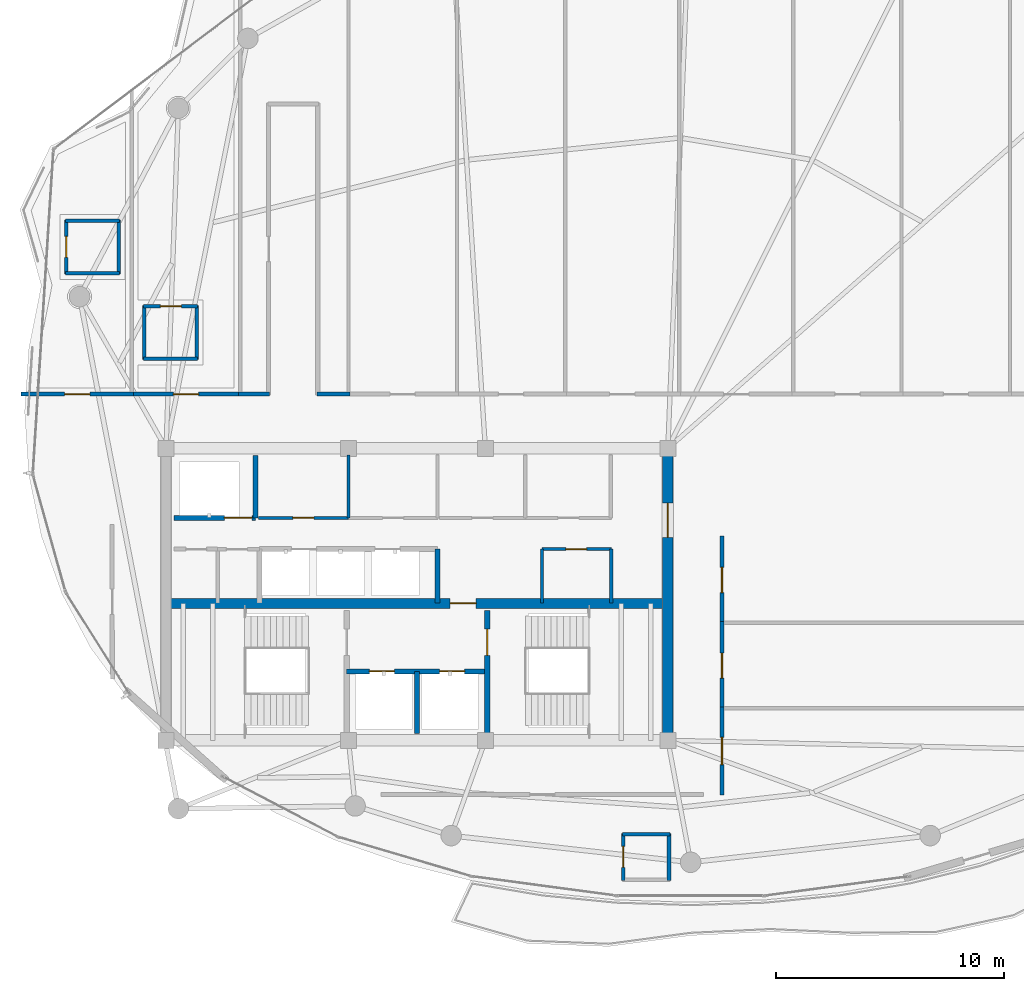
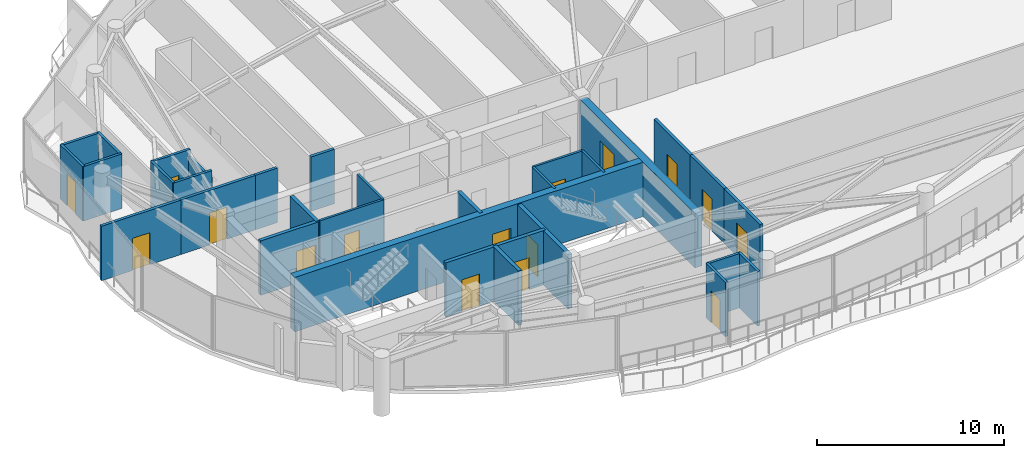
# One storey, part 24 of 29: 31 walls, 16 doors, 16 openings.
"""IFC4 building model written with IfcOpenShell, lengths in metres."""

from ifc_helpers import new_model, si_unit, direction, frame, frame_2d, origin, place, context, subcontext, project, spatial, rectangle, extrude, material, layer, layer_set, type_object, element, fill, save


model = new_model("IFC4")

# Units and contexts
model_context = context("Model", 3, precision=1e-05, world=origin(), true_north=direction((0.0, 1.0)))
body_context = subcontext(model_context, "Body", "Model", "MODEL_VIEW")
ifc_project = project(units=[si_unit("LENGTHUNIT", "METRE"), si_unit("AREAUNIT", "SQUARE_METRE"), si_unit("VOLUMEUNIT", "CUBIC_METRE"), si_unit("PLANEANGLEUNIT", "RADIAN"), si_unit("MASSUNIT", "GRAM", prefix="KILO")], contexts=[model_context])

# Site, building, storey
site_placement = place(None, origin())
site = spatial("IfcSite", under=ifc_project, at=site_placement, CompositionType="ELEMENT")
building_placement = place(site_placement, origin())
building = spatial("IfcBuilding", under=site, at=building_placement, Name="Kazevale Care Tower and Concert Hall", CompositionType="ELEMENT")
storey_placement = place(building_placement, frame((0.0, 0.0, 262.39990234375)))
storey = spatial("IfcBuildingStorey", under=building, at=storey_placement, Name="L69", CompositionType="ELEMENT", Elevation=262.39990234375)

# Wall, opening, door
ifc_material_1 = material(Name="Acoustic Gypsum on Steel Stud", Category="steel")
ifc_layer_1 = layer(ifc_material_1, 0.139892578125)
ifc_layer_set_1 = layer_set([ifc_layer_1], Name="Acoustic Gypsum on Steel Stud")
wall_type_1 = type_object("IfcWallType", Name="Acoustic Care & Suite Partition 140", PredefinedType="PARTITIONING", material=ifc_layer_set_1)
wall_1_placement = place(storey_placement, frame((26.050048828125, 33.35009765625, 0.0), z_axis=(0.0, 0.0, 1.0), x_axis=(1.0, 0.0, 0.0)))
wall_1 = element("IfcWall", 1, at=wall_1_placement, inside=storey, type_object=wall_type_1, Name="wall:L69:c_rpl1_s", PredefinedType="PARTITIONING", context=body_context, shape_type="SweptSolid", body=[
    extrude(rectangle(XDim=3.949951171875, YDim=0.139892578125, at=frame_2d((1.97509765625, 0.0))), origin(), (0.0, 0.0, 1.0), 3.56005859375),
])
opening_1_placement = place(wall_1_placement, frame((1.514892578125, 0.0, 0.0)))
opening_1 = element("IfcOpeningElement", 2, at=opening_1_placement, cuts=wall_1, Name="Opening ID-900", PredefinedType="OPENING", context=body_context, shape_type="SweptSolid", body=[
    extrude(rectangle(XDim=0.919921875, YDim=2.10009765625, at=frame_2d((0.4599609375, 1.050048828125))), frame((0.0, 0.079833984375, 0.0), z_axis=(0.0, -1.0, 0.0), x_axis=(1.0, 0.0, 0.0)), (0.0, 0.0, 1.0), 0.159912109375),
])
ifc_material_2 = material(Name="Oak Timber Fire Leaf", Category="wood")
door_type_1 = type_object("IfcDoorType", Name="Bathroom & Service Door 920x2100", OperationType="NOTDEFINED", PredefinedType="DOOR", material=ifc_material_2)
door_1_placement = place(opening_1_placement, origin())
door_1 = element("IfcDoor", 3, at=door_1_placement, inside=storey, type_object=door_type_1, Name="door:L69:d_rpl1", OperationType="SINGLE_SWING_LEFT", OverallHeight=2.10009765625, OverallWidth=0.919921875, PredefinedType="DOOR", context=body_context, shape_type="SweptSolid", body=[
    extrude(rectangle(XDim=0.919921875, YDim=2.10009765625, at=frame_2d((0.4599609375, 1.050048828125))), frame((0.0, 0.02490234375, 0.0), z_axis=(0.0, -1.0, 0.0), x_axis=(1.0, 0.0, 0.0)), (0.0, 0.0, 1.0), 0.050048828125),
])
fill(opening_1, door_1)

# Walls
wall_2_placement = place(storey_placement, frame((30.0, 33.35009765625, 0.0), z_axis=(0.0, 0.0, 1.0), x_axis=(0.0, 1.0, 0.0)))
element("IfcWall", 4, at=wall_2_placement, inside=storey, type_object=wall_type_1, Name="wall:L69:c_rpl_m", PredefinedType="PARTITIONING", context=body_context, shape_type="SweptSolid", body=[
    extrude(rectangle(XDim=2.75, YDim=0.139892578125, at=frame_2d((1.375, 0.0))), origin(), (0.0, 0.0, 1.0), 3.56005859375),
])
for number, where, z_axis, x_axis, name in (
    (5, (38.47998046875, 29.6201171875, 0.0), (0.0, 0.0, 1.0), (0.0, 1.0, 0.0), "wall:L69:kb_ew"),
    (6, (41.52001953125, 29.6201171875, 0.0), (0.0, 0.0, 1.0), (0.0, 1.0, 0.0), "wall:L69:kb_ee"),
):
    element("IfcWall", number, at=place(storey_placement, frame(where, z_axis=z_axis, x_axis=x_axis)), inside=storey, type_object=wall_type_1, Name=name, PredefinedType="PARTITIONING", context=body_context, shape_type="SweptSolid", body=[
        extrude(rectangle(XDim=2.35986328125, YDim=0.139892578125, at=frame_2d((1.179931640625, 0.0))), origin(), (0.0, 0.0, 1.0), 3.56005859375),
    ])

# Wall, opening, door
wall_3_placement = place(storey_placement, frame((38.47998046875, 31.97998046875, 0.0), z_axis=(0.0, 0.0, 1.0), x_axis=(1.0, 0.0, 0.0)))
wall_3 = element("IfcWall", 7, at=wall_3_placement, inside=storey, type_object=wall_type_1, Name="wall:L69:kb_en", PredefinedType="PARTITIONING", context=body_context, shape_type="SweptSolid", body=[
    extrude(rectangle(XDim=3.0400390625, YDim=0.139892578125, at=frame_2d((1.52001953125, 0.0))), origin(), (0.0, 0.0, 1.0), 3.56005859375),
])
opening_2_placement = place(wall_3_placement, frame((1.044921875, 0.0, 0.0)))
opening_2 = element("IfcOpeningElement", 8, at=opening_2_placement, cuts=wall_3, Name="Opening ID-900", PredefinedType="OPENING", context=body_context, shape_type="SweptSolid", body=[
    extrude(rectangle(XDim=0.919921875, YDim=2.10009765625, at=frame_2d((0.4599609375, 1.050048828125))), frame((0.0, 0.079833984375, 0.0), z_axis=(0.0, -1.0, 0.0), x_axis=(1.0, 0.0, 0.0)), (0.0, 0.0, 1.0), 0.159912109375),
])
door_2_placement = place(opening_2_placement, origin())
door_2 = element("IfcDoor", 9, at=door_2_placement, inside=storey, type_object=door_type_1, Name="door:L69:d_kbe", OperationType="SINGLE_SWING_LEFT", OverallHeight=2.10009765625, OverallWidth=0.919921875, PredefinedType="DOOR", context=body_context, shape_type="SweptSolid", body=[
    extrude(rectangle(XDim=0.919921875, YDim=2.10009765625, at=frame_2d((0.4599609375, 1.050048828125))), frame((0.0, 0.02490234375, 0.0), z_axis=(0.0, -1.0, 0.0), x_axis=(1.0, 0.0, 0.0)), (0.0, 0.0, 1.0), 0.050048828125),
])
fill(opening_2, door_2)

ifc_material_3 = material(Name="Concrete C50", Category="concrete")
ifc_layer_2 = layer(ifc_material_3, 0.449951171875)
ifc_layer_set_2 = layer_set([ifc_layer_2], Name="Concrete C50")
wall_type_2 = type_object("IfcWallType", Name="Core Shear Wall 450 C50", PredefinedType="SHEAR", material=ifc_layer_set_2)
wall_4_placement = place(storey_placement, frame((44.0, 23.824951171875, 0.0), z_axis=(0.0, 0.0, 1.0), x_axis=(0.0, 1.0, 0.0)))
wall_4 = element("IfcWall", 10, at=wall_4_placement, inside=storey, type_object=wall_type_2, Name="wall:L69:core:E", PredefinedType="SHEAR", context=body_context, shape_type="SweptSolid", body=[
    extrude(rectangle(XDim=12.35009765625, YDim=0.449951171875, at=frame_2d((6.175048828125, 0.0))), origin(), (0.0, 0.0, 1.0), 3.56005859375),
])
opening_3_placement = place(wall_4_placement, frame((8.675048828125, 0.0, 0.0)))
opening_3 = element("IfcOpeningElement", 11, at=opening_3_placement, cuts=wall_4, Name="Opening FD-60D", PredefinedType="OPENING", context=body_context, shape_type="SweptSolid", body=[
    extrude(rectangle(XDim=1.5, YDim=2.14990234375, at=frame_2d((0.75, 1.074951171875))), frame((0.0, 0.23486328125, 0.0), z_axis=(0.0, -1.0, 0.0), x_axis=(1.0, 0.0, 0.0)), (0.0, 0.0, 1.0), 0.469970703125),
])
door_type_2 = type_object("IfcDoorType", Name="Double Lobby & Auditorium Fire Door 1500x2150", OperationType="NOTDEFINED", PredefinedType="DOOR", material=ifc_material_2)
door_3_placement = place(opening_3_placement, origin())
door_3 = element("IfcDoor", 12, at=door_3_placement, inside=storey, type_object=door_type_2, Name="door:L69:core_east_out", OperationType="DOUBLE_DOOR_SINGLE_SWING", OverallHeight=2.14990234375, OverallWidth=1.5, PredefinedType="DOOR", context=body_context, shape_type="SweptSolid", body=[
    extrude(rectangle(XDim=1.5, YDim=2.14990234375, at=frame_2d((0.75, 1.074951171875))), frame((0.0, 0.02490234375, 0.0), z_axis=(0.0, -1.0, 0.0), x_axis=(1.0, 0.0, 0.0)), (0.0, 0.0, 1.0), 0.050048828125),
])
fill(opening_3, door_3)

wall_5_placement = place(storey_placement, frame((22.22509765625, 29.60009765625, 0.0), z_axis=(0.0, 0.0, 1.0), x_axis=(1.0, 0.0, 0.0)))
wall_5 = element("IfcWall", 13, at=wall_5_placement, inside=storey, type_object=wall_type_2, Name="wall:L69:core:M", PredefinedType="SHEAR", context=body_context, shape_type="SweptSolid", body=[
    extrude(rectangle(XDim=21.5498046875, YDim=0.449951171875, at=frame_2d((10.77490234375, 0.0))), origin(), (0.0, 0.0, 1.0), 3.56005859375),
])
opening_4_placement = place(wall_5_placement, frame((12.22509765625, 0.0, 0.0)))
opening_4 = element("IfcOpeningElement", 14, at=opening_4_placement, cuts=wall_5, Name="Opening FD-90", PredefinedType="OPENING", context=body_context, shape_type="SweptSolid", body=[
    extrude(rectangle(XDim=1.14990234375, YDim=2.10009765625, at=frame_2d((0.574951171875, 1.050048828125))), frame((0.0, 0.23486328125, 0.0), z_axis=(0.0, -1.0, 0.0), x_axis=(1.0, 0.0, 0.0)), (0.0, 0.0, 1.0), 0.469970703125),
])
ifc_material_4 = material(Name="Steel ASTM A572 Gr 50", Category="steel")
door_type_3 = type_object("IfcDoorType", Name="Pressurized Stair & Lobby Fire Door 1150x2100", OperationType="NOTDEFINED", PredefinedType="DOOR", material=ifc_material_4)
door_4_placement = place(opening_4_placement, origin())
door_4 = element("IfcDoor", 15, at=door_4_placement, inside=storey, type_object=door_type_3, Name="door:L69:ff_to_pax", OperationType="SINGLE_SWING_LEFT", OverallHeight=2.10009765625, OverallWidth=1.14990234375, PredefinedType="DOOR", context=body_context, shape_type="SweptSolid", body=[
    extrude(rectangle(XDim=1.14990234375, YDim=2.10009765625, at=frame_2d((0.574951171875, 1.050048828125))), frame((0.0, 0.02490234375, 0.0), z_axis=(0.0, -1.0, 0.0), x_axis=(1.0, 0.0, 0.0)), (0.0, 0.0, 1.0), 0.050048828125),
])
fill(opening_4, door_4)

# Wall, openings, doors
ifc_material_5 = material(Name="Concrete C40", Category="concrete")
ifc_layer_3 = layer(ifc_material_5, 0.219970703125)
ifc_layer_set_3 = layer_set([ifc_layer_3], Name="Concrete C40")
wall_type_3 = type_object("IfcWallType", Name="Elevator Hoistway Shaft Wall 220", PredefinedType="SOLIDWALL", material=ifc_layer_set_3)
wall_6_placement = place(storey_placement, frame((29.919921875, 26.6201171875, 0.0), z_axis=(0.0, 0.0, 1.0), x_axis=(1.0, 0.0, 0.0)))
wall_6 = element("IfcWall", 16, at=wall_6_placement, inside=storey, type_object=wall_type_3, Name="wall:L69:c_ffl_n", PredefinedType="SOLIDWALL", context=body_context, shape_type="SweptSolid", body=[
    extrude(rectangle(XDim=6.16015625, YDim=0.219970703125, at=frame_2d((3.080078125, 0.0))), origin(), (0.0, 0.0, 1.0), 3.56005859375),
])
opening_5_placement = place(wall_6_placement, frame((0.989990234375, 0.0, 0.0)))
opening_5 = element("IfcOpeningElement", 17, at=opening_5_placement, cuts=wall_6, Name="Opening LD-FF", PredefinedType="OPENING", context=body_context, shape_type="SweptSolid", body=[
    extrude(rectangle(XDim=1.10009765625, YDim=2.10009765625, at=frame_2d((0.550048828125, 1.050048828125))), frame((0.0, 0.119873046875, 0.0), z_axis=(0.0, -1.0, 0.0), x_axis=(1.0, 0.0, 0.0)), (0.0, 0.0, 1.0), 0.239990234375),
])
opening_6_placement = place(wall_6_placement, frame((4.070068359375, 0.0, 0.0)))
opening_6 = element("IfcOpeningElement", 18, at=opening_6_placement, cuts=wall_6, Name="Opening LD-FF", PredefinedType="OPENING", context=body_context, shape_type="SweptSolid", body=[
    extrude(rectangle(XDim=1.10009765625, YDim=2.10009765625, at=frame_2d((0.550048828125, 1.050048828125))), frame((0.0, 0.119873046875, 0.0), z_axis=(0.0, -1.0, 0.0), x_axis=(1.0, 0.0, 0.0)), (0.0, 0.0, 1.0), 0.239990234375),
])
ifc_material_6 = material(Name="Stainless Steel 316", Category="steel")
door_type_4 = type_object("IfcDoorType", Name="Emergency Lift Sliding Landing Door 1100x2100", OperationType="NOTDEFINED", PredefinedType="DOOR", material=ifc_material_6)
door_5_placement = place(opening_5_placement, origin())
door_5 = element("IfcDoor", 19, at=door_5_placement, inside=storey, type_object=door_type_4, Name="door:L69:ld_ffl1", OperationType="SLIDING_TO_LEFT", OverallHeight=2.10009765625, OverallWidth=1.10009765625, PredefinedType="DOOR", context=body_context, shape_type="SweptSolid", body=[
    extrude(rectangle(XDim=1.10009765625, YDim=2.10009765625, at=frame_2d((0.550048828125, 1.050048828125))), frame((0.0, 0.02490234375, 0.0), z_axis=(0.0, -1.0, 0.0), x_axis=(1.0, 0.0, 0.0)), (0.0, 0.0, 1.0), 0.050048828125),
])
fill(opening_5, door_5)
door_6_placement = place(opening_6_placement, origin())
door_6 = element("IfcDoor", 20, at=door_6_placement, inside=storey, type_object=door_type_4, Name="door:L69:ld_ffl2", OperationType="SLIDING_TO_RIGHT", OverallHeight=2.10009765625, OverallWidth=1.10009765625, PredefinedType="DOOR", context=body_context, shape_type="SweptSolid", body=[
    extrude(rectangle(XDim=1.10009765625, YDim=2.10009765625, at=frame_2d((0.550048828125, 1.050048828125))), frame((0.0, 0.02490234375, 0.0), z_axis=(0.0, -1.0, 0.0), x_axis=(1.0, 0.0, 0.0)), (0.0, 0.0, 1.0), 0.050048828125),
])
fill(opening_6, door_6)

# Walls
wall_7_placement = place(storey_placement, frame((33.0, 23.89990234375, 0.0), z_axis=(0.0, 0.0, 1.0), x_axis=(0.0, 1.0, 0.0)))
element("IfcWall", 21, at=wall_7_placement, inside=storey, type_object=wall_type_3, Name="wall:L69:c_ffl_m", PredefinedType="SOLIDWALL", context=body_context, shape_type="SweptSolid", body=[
    extrude(rectangle(XDim=2.72021484375, YDim=0.219970703125, at=frame_2d((1.360107421875, 0.0))), origin(), (0.0, 0.0, 1.0), 3.56005859375),
])
wall_8_placement = place(storey_placement, frame((25.919921875, 33.35009765625, 0.0), z_axis=(0.0, 0.0, 1.0), x_axis=(0.0, 1.0, 0.0)))
element("IfcWall", 22, at=wall_8_placement, inside=storey, type_object=wall_type_3, Name="wall:L69:c_svl_e", PredefinedType="SOLIDWALL", context=body_context, shape_type="SweptSolid", body=[
    extrude(rectangle(XDim=2.72998046875, YDim=0.219970703125, at=frame_2d((1.364990234375, 0.0))), origin(), (0.0, 0.0, 1.0), 3.56005859375),
])

# Wall, opening, door
wall_9_placement = place(storey_placement, frame((22.35009765625, 33.35009765625, 0.0), z_axis=(0.0, 0.0, 1.0), x_axis=(1.0, 0.0, 0.0)))
wall_9 = element("IfcWall", 23, at=wall_9_placement, inside=storey, type_object=wall_type_3, Name="wall:L69:c_svl_s", PredefinedType="SOLIDWALL", context=body_context, shape_type="SweptSolid", body=[
    extrude(rectangle(XDim=3.56982421875, YDim=0.219970703125, at=frame_2d((1.784912109375, 0.0))), origin(), (0.0, 0.0, 1.0), 3.56005859375),
])
opening_7_placement = place(wall_9_placement, frame((2.212890625, 0.0, 0.0)))
opening_7 = element("IfcOpeningElement", 24, at=opening_7_placement, cuts=wall_9, Name="Opening LD-SV", PredefinedType="OPENING", context=body_context, shape_type="SweptSolid", body=[
    extrude(rectangle(XDim=1.199951171875, YDim=2.10009765625, at=frame_2d((0.60009765625, 1.050048828125))), frame((0.0, 0.119873046875, 0.0), z_axis=(0.0, -1.0, 0.0), x_axis=(1.0, 0.0, 0.0)), (0.0, 0.0, 1.0), 0.239990234375),
])
door_type_5 = type_object("IfcDoorType", Name="Service Lift Sliding Landing Door 1200x2100", OperationType="NOTDEFINED", PredefinedType="DOOR", material=ifc_material_6)
door_7_placement = place(opening_7_placement, origin())
door_7 = element("IfcDoor", 25, at=door_7_placement, inside=storey, type_object=door_type_5, Name="door:L69:ld_svl1", OperationType="SLIDING_TO_LEFT", OverallHeight=2.10009765625, OverallWidth=1.199951171875, PredefinedType="DOOR", context=body_context, shape_type="SweptSolid", body=[
    extrude(rectangle(XDim=1.199951171875, YDim=2.10009765625, at=frame_2d((0.60009765625, 1.050048828125))), frame((0.0, 0.02490234375, 0.0), z_axis=(0.0, -1.0, 0.0), x_axis=(1.0, 0.0, 0.0)), (0.0, 0.0, 1.0), 0.050048828125),
])
fill(opening_7, door_7)

# Wall
wall_10_placement = place(storey_placement, frame((33.89990234375, 29.6201171875, 0.0), z_axis=(0.0, 0.0, 1.0), x_axis=(0.0, 1.0, 0.0)))
element("IfcWall", 26, at=wall_10_placement, inside=storey, type_object=wall_type_3, Name="wall:L69:c_ph_e", PredefinedType="SOLIDWALL", context=body_context, shape_type="SweptSolid", body=[
    extrude(rectangle(XDim=2.35986328125, YDim=0.219970703125, at=frame_2d((1.179931640625, 0.0))), origin(), (0.0, 0.0, 1.0), 3.56005859375),
])

# Wall, opening, door
ifc_material_7 = material(Name="Concrete C40 and Acoustic Gypsum", Category="concrete")
ifc_layer_4 = layer(ifc_material_7, 0.179931640625)
ifc_layer_set_4 = layer_set([ifc_layer_4], Name="Concrete C40 and Acoustic Gypsum")
wall_type_4 = type_object("IfcWallType", Name="Fire-Rated Corridor & Party Wall 180", PredefinedType="PARTITIONING", material=ifc_layer_set_4)
wall_11_placement = place(storey_placement, frame((15.65087890625, 38.77490234375, 0.0), z_axis=(0.0, 0.0, 1.0), x_axis=(1.0, 0.0, 0.0)))
wall_11 = element("IfcWall", 27, at=wall_11_placement, inside=storey, type_object=wall_type_4, Name="wall:L69:auto_001", PredefinedType="PARTITIONING", context=body_context, shape_type="SweptSolid", body=[
    extrude(rectangle(XDim=4.9140625, YDim=0.179931640625, at=frame_2d((2.45703125, 0.0))), origin(), (0.0, 0.0, 1.0), 3.56005859375),
])
opening_8_placement = place(wall_11_placement, frame((1.906982421875, 0.0, 0.0)))
opening_8 = element("IfcOpeningElement", 28, at=opening_8_placement, cuts=wall_11, Name="Opening ID-1100", PredefinedType="OPENING", context=body_context, shape_type="SweptSolid", body=[
    extrude(rectangle(XDim=1.10009765625, YDim=2.10009765625, at=frame_2d((0.550048828125, 1.050048828125))), frame((0.0, 0.099853515625, 0.0), z_axis=(0.0, -1.0, 0.0), x_axis=(1.0, 0.0, 0.0)), (0.0, 0.0, 1.0), 0.199951171875),
])
door_type_6 = type_object("IfcDoorType", Name="Care Bedroom Accessible Door 1100x2100", OperationType="NOTDEFINED", PredefinedType="DOOR", material=ifc_material_2)
door_8_placement = place(opening_8_placement, origin())
door_8 = element("IfcDoor", 29, at=door_8_placement, inside=storey, type_object=door_type_6, Name="door:L69:ad_001", OperationType="SINGLE_SWING_LEFT", OverallHeight=2.10009765625, OverallWidth=1.10009765625, PredefinedType="DOOR", context=body_context, shape_type="SweptSolid", body=[
    extrude(rectangle(XDim=1.10009765625, YDim=2.10009765625, at=frame_2d((0.550048828125, 1.050048828125))), frame((0.0, 0.02490234375, 0.0), z_axis=(0.0, -1.0, 0.0), x_axis=(1.0, 0.0, 0.0)), (0.0, 0.0, 1.0), 0.050048828125),
])
fill(opening_8, door_8)

wall_12_placement = place(storey_placement, frame((20.43505859375, 38.77490234375, 0.0), z_axis=(0.0, 0.0, 1.0), x_axis=(1.0, 0.0, 0.0)))
wall_12 = element("IfcWall", 30, at=wall_12_placement, inside=storey, type_object=wall_type_4, Name="wall:L69:auto_002", PredefinedType="PARTITIONING", context=body_context, shape_type="SweptSolid", body=[
    extrude(rectangle(XDim=4.8798828125, YDim=0.179931640625, at=frame_2d((2.43994140625, 0.0))), origin(), (0.0, 0.0, 1.0), 3.56005859375),
])
opening_9_placement = place(wall_12_placement, frame((1.889892578125, 0.0, 0.0)))
opening_9 = element("IfcOpeningElement", 31, at=opening_9_placement, cuts=wall_12, Name="Opening ID-1100", PredefinedType="OPENING", context=body_context, shape_type="SweptSolid", body=[
    extrude(rectangle(XDim=1.10009765625, YDim=2.10009765625, at=frame_2d((0.550048828125, 1.050048828125))), frame((0.0, 0.099853515625, 0.0), z_axis=(0.0, -1.0, 0.0), x_axis=(1.0, 0.0, 0.0)), (0.0, 0.0, 1.0), 0.199951171875),
])
door_9_placement = place(opening_9_placement, origin())
door_9 = element("IfcDoor", 32, at=door_9_placement, inside=storey, type_object=door_type_6, Name="door:L69:ad_002", OperationType="SINGLE_SWING_LEFT", OverallHeight=2.10009765625, OverallWidth=1.10009765625, PredefinedType="DOOR", context=body_context, shape_type="SweptSolid", body=[
    extrude(rectangle(XDim=1.10009765625, YDim=2.10009765625, at=frame_2d((0.550048828125, 1.050048828125))), frame((0.0, 0.02490234375, 0.0), z_axis=(0.0, -1.0, 0.0), x_axis=(1.0, 0.0, 0.0)), (0.0, 0.0, 1.0), 0.050048828125),
])
fill(opening_9, door_9)

# Walls
wall_13_placement = place(storey_placement, frame((28.6201171875, 38.77490234375, 0.0), z_axis=(0.0, 0.0, 1.0), x_axis=(1.0, 0.0, 0.0)))
element("IfcWall", 33, at=wall_13_placement, inside=storey, type_object=wall_type_4, Name="wall:L69:auto_006", PredefinedType="PARTITIONING", context=body_context, shape_type="SweptSolid", body=[
    extrude(rectangle(XDim=1.44482421875, YDim=0.179931640625, at=frame_2d((0.722412109375, 0.0))), origin(), (0.0, 0.0, 1.0), 3.56005859375),
])
wall_14_placement = place(storey_placement, frame((25.18505859375, 38.77490234375, 0.0), z_axis=(0.0, 0.0, 1.0), x_axis=(1.0, 0.0, 0.0)))
element("IfcWall", 34, at=wall_14_placement, inside=storey, type_object=wall_type_4, Name="wall:L69:auto_007", PredefinedType="PARTITIONING", context=body_context, shape_type="SweptSolid", body=[
    extrude(rectangle(XDim=1.344970703125, YDim=0.179931640625, at=frame_2d((0.67236328125, 0.0))), origin(), (0.0, 0.0, 1.0), 3.56005859375),
])

# Wall, opening, door
wall_15_placement = place(storey_placement, frame((46.375, 25.06494140625, 0.0), z_axis=(0.0, 0.0, 1.0), x_axis=(0.0, -1.0, 0.0)))
wall_15 = element("IfcWall", 35, at=wall_15_placement, inside=storey, type_object=wall_type_4, Name="wall:L69:auto_015", PredefinedType="PARTITIONING", context=body_context, shape_type="SweptSolid", body=[
    extrude(rectangle(XDim=3.869873046875, YDim=0.179931640625, at=frame_2d((1.93505859375, 0.0))), origin(), (0.0, 0.0, 1.0), 3.56005859375),
])
opening_10_placement = place(wall_15_placement, frame((1.3349609375, 0.0, 0.0)))
opening_10 = element("IfcOpeningElement", 36, at=opening_10_placement, cuts=wall_15, Name="Opening ID-1200", PredefinedType="OPENING", context=body_context, shape_type="SweptSolid", body=[
    extrude(rectangle(XDim=1.199951171875, YDim=2.14990234375, at=frame_2d((0.60009765625, 1.074951171875))), frame((0.0, 0.099853515625, 0.0), z_axis=(0.0, -1.0, 0.0), x_axis=(1.0, 0.0, 0.0)), (0.0, 0.0, 1.0), 0.199951171875),
])
door_type_7 = type_object("IfcDoorType", Name="Clinical & Therapy Door 1200x2150", OperationType="NOTDEFINED", PredefinedType="DOOR", material=ifc_material_2)
door_10_placement = place(opening_10_placement, origin())
door_10 = element("IfcDoor", 37, at=door_10_placement, inside=storey, type_object=door_type_7, Name="door:L69:ad_015", OperationType="SINGLE_SWING_LEFT", OverallHeight=2.14990234375, OverallWidth=1.199951171875, PredefinedType="DOOR", context=body_context, shape_type="SweptSolid", body=[
    extrude(rectangle(XDim=1.199951171875, YDim=2.14990234375, at=frame_2d((0.60009765625, 1.074951171875))), frame((0.0, 0.02490234375, 0.0), z_axis=(0.0, -1.0, 0.0), x_axis=(1.0, 0.0, 0.0)), (0.0, 0.0, 1.0), 0.050048828125),
])
fill(opening_10, door_10)

wall_16_placement = place(storey_placement, frame((46.375, 28.81494140625, 0.0), z_axis=(0.0, 0.0, 1.0), x_axis=(0.0, -1.0, 0.0)))
wall_16 = element("IfcWall", 38, at=wall_16_placement, inside=storey, type_object=wall_type_4, Name="wall:L69:auto_016", PredefinedType="PARTITIONING", context=body_context, shape_type="SweptSolid", body=[
    extrude(rectangle(XDim=3.8798828125, YDim=0.179931640625, at=frame_2d((1.93994140625, 0.0))), origin(), (0.0, 0.0, 1.0), 3.56005859375),
])
opening_11_placement = place(wall_16_placement, frame((1.389892578125, 0.0, 0.0)))
opening_11 = element("IfcOpeningElement", 39, at=opening_11_placement, cuts=wall_16, Name="Opening ID-1100", PredefinedType="OPENING", context=body_context, shape_type="SweptSolid", body=[
    extrude(rectangle(XDim=1.10009765625, YDim=2.10009765625, at=frame_2d((0.550048828125, 1.050048828125))), frame((0.0, 0.099853515625, 0.0), z_axis=(0.0, -1.0, 0.0), x_axis=(1.0, 0.0, 0.0)), (0.0, 0.0, 1.0), 0.199951171875),
])
door_11_placement = place(opening_11_placement, origin())
door_11 = element("IfcDoor", 40, at=door_11_placement, inside=storey, type_object=door_type_6, Name="door:L69:ad_016", OperationType="SINGLE_SWING_LEFT", OverallHeight=2.10009765625, OverallWidth=1.10009765625, PredefinedType="DOOR", context=body_context, shape_type="SweptSolid", body=[
    extrude(rectangle(XDim=1.10009765625, YDim=2.10009765625, at=frame_2d((0.550048828125, 1.050048828125))), frame((0.0, 0.02490234375, 0.0), z_axis=(0.0, -1.0, 0.0), x_axis=(1.0, 0.0, 0.0)), (0.0, 0.0, 1.0), 0.050048828125),
])
fill(opening_11, door_11)

wall_17_placement = place(storey_placement, frame((46.375, 32.56494140625, 0.0), z_axis=(0.0, 0.0, 1.0), x_axis=(0.0, -1.0, 0.0)))
wall_17 = element("IfcWall", 41, at=wall_17_placement, inside=storey, type_object=wall_type_4, Name="wall:L69:auto_017", PredefinedType="PARTITIONING", context=body_context, shape_type="SweptSolid", body=[
    extrude(rectangle(XDim=3.8798828125, YDim=0.179931640625, at=frame_2d((1.93994140625, 0.0))), origin(), (0.0, 0.0, 1.0), 3.56005859375),
])
opening_12_placement = place(wall_17_placement, frame((1.389892578125, 0.0, 0.0)))
opening_12 = element("IfcOpeningElement", 42, at=opening_12_placement, cuts=wall_17, Name="Opening ID-1100", PredefinedType="OPENING", context=body_context, shape_type="SweptSolid", body=[
    extrude(rectangle(XDim=1.10009765625, YDim=2.10009765625, at=frame_2d((0.550048828125, 1.050048828125))), frame((0.0, 0.099853515625, 0.0), z_axis=(0.0, -1.0, 0.0), x_axis=(1.0, 0.0, 0.0)), (0.0, 0.0, 1.0), 0.199951171875),
])
door_12_placement = place(opening_12_placement, origin())
door_12 = element("IfcDoor", 43, at=door_12_placement, inside=storey, type_object=door_type_6, Name="door:L69:ad_017", OperationType="SINGLE_SWING_LEFT", OverallHeight=2.10009765625, OverallWidth=1.10009765625, PredefinedType="DOOR", context=body_context, shape_type="SweptSolid", body=[
    extrude(rectangle(XDim=1.10009765625, YDim=2.10009765625, at=frame_2d((0.550048828125, 1.050048828125))), frame((0.0, 0.02490234375, 0.0), z_axis=(0.0, -1.0, 0.0), x_axis=(1.0, 0.0, 0.0)), (0.0, 0.0, 1.0), 0.050048828125),
])
fill(opening_12, door_12)

# Walls
ifc_layer_5 = layer(ifc_material_1, 0.159912109375)
ifc_layer_set_5 = layer_set([ifc_layer_5], Name="Acoustic Gypsum on Steel Stud")
wall_type_5 = type_object("IfcWallType", Name="Moisture-Resistant Bathroom Plumbing Wall 160", PredefinedType="PLUMBINGWALL", material=ifc_layer_set_5)
for number, where, z_axis, x_axis, name in (
    (44, (17.5849609375, 44.074951171875, 0.0), (0.0, 0.0, 1.0), (1.0, 0.0, 0.0), "wall:L69:nb1_ens_ws"),
    (45, (17.5849609375, 46.375, 0.0), (0.0, 0.0, 1.0), (1.0, 0.0, 0.0), "wall:L69:nb1_ens_wn"),
):
    element("IfcWall", number, at=place(storey_placement, frame(where, z_axis=z_axis, x_axis=x_axis)), inside=storey, type_object=wall_type_5, Name=name, PredefinedType="PLUMBINGWALL", context=body_context, shape_type="SweptSolid", body=[
        extrude(rectangle(XDim=2.380126953125, YDim=0.159912109375, at=frame_2d((1.18994140625, 0.0))), origin(), (0.0, 0.0, 1.0), 3.56005859375),
    ])

# Wall, opening, door
wall_18_placement = place(storey_placement, frame((17.625, 44.034912109375, 0.0), z_axis=(0.0, 0.0, 1.0), x_axis=(0.0, 1.0, 0.0)))
wall_18 = element("IfcWall", 46, at=wall_18_placement, inside=storey, type_object=wall_type_5, Name="wall:L69:nb1_ens_ww", PredefinedType="PLUMBINGWALL", context=body_context, shape_type="SweptSolid", body=[
    extrude(rectangle(XDim=2.380126953125, YDim=0.159912109375, at=frame_2d((1.18994140625, 0.0))), origin(), (0.0, 0.0, 1.0), 3.56005859375),
])
opening_13_placement = place(wall_18_placement, frame((0.739990234375, 0.0, 0.0)))
opening_13 = element("IfcOpeningElement", 47, at=opening_13_placement, cuts=wall_18, Name="Opening ID-900", PredefinedType="OPENING", context=body_context, shape_type="SweptSolid", body=[
    extrude(rectangle(XDim=0.919921875, YDim=2.10009765625, at=frame_2d((0.4599609375, 1.050048828125))), frame((0.0, 0.08984375, 0.0), z_axis=(0.0, -1.0, 0.0), x_axis=(1.0, 0.0, 0.0)), (0.0, 0.0, 1.0), 0.179931640625),
])
door_13_placement = place(opening_13_placement, origin())
door_13 = element("IfcDoor", 48, at=door_13_placement, inside=storey, type_object=door_type_1, Name="door:L69:nb1_ens_d", OperationType="SINGLE_SWING_RIGHT", OverallHeight=2.10009765625, OverallWidth=0.919921875, PredefinedType="DOOR", context=body_context, shape_type="SweptSolid", body=[
    extrude(rectangle(XDim=0.919921875, YDim=2.10009765625, at=frame_2d((0.4599609375, 1.050048828125))), frame((0.0, 0.02490234375, 0.0), z_axis=(0.0, -1.0, 0.0), x_axis=(1.0, 0.0, 0.0)), (0.0, 0.0, 1.0), 0.050048828125),
])
fill(opening_13, door_13)

# Walls
wall_19_placement = place(storey_placement, frame((19.925048828125, 44.034912109375, 0.0), z_axis=(0.0, 0.0, 1.0), x_axis=(0.0, 1.0, 0.0)))
element("IfcWall", 49, at=wall_19_placement, inside=storey, type_object=wall_type_5, Name="wall:L69:nb1_ens_we", PredefinedType="PLUMBINGWALL", context=body_context, shape_type="SweptSolid", body=[
    extrude(rectangle(XDim=2.380126953125, YDim=0.159912109375, at=frame_2d((1.18994140625, 0.0))), origin(), (0.0, 0.0, 1.0), 3.56005859375),
])
wall_20_placement = place(storey_placement, frame((21.010009765625, 40.324951171875, 0.0), z_axis=(0.0, 0.0, 1.0), x_axis=(1.0, 0.0, 0.0)))
element("IfcWall", 50, at=wall_20_placement, inside=storey, type_object=wall_type_5, Name="wall:L69:nb2a_ens_ws", PredefinedType="PLUMBINGWALL", context=body_context, shape_type="SweptSolid", body=[
    extrude(rectangle(XDim=2.3798828125, YDim=0.159912109375, at=frame_2d((1.18994140625, 0.0))), origin(), (0.0, 0.0, 1.0), 3.56005859375),
])

# Wall, opening, door
wall_21_placement = place(storey_placement, frame((21.010009765625, 42.625, 0.0), z_axis=(0.0, 0.0, 1.0), x_axis=(1.0, 0.0, 0.0)))
wall_21 = element("IfcWall", 51, at=wall_21_placement, inside=storey, type_object=wall_type_5, Name="wall:L69:nb2a_ens_wn", PredefinedType="PLUMBINGWALL", context=body_context, shape_type="SweptSolid", body=[
    extrude(rectangle(XDim=2.3798828125, YDim=0.159912109375, at=frame_2d((1.18994140625, 0.0))), origin(), (0.0, 0.0, 1.0), 3.56005859375),
])
opening_14_placement = place(wall_21_placement, frame((0.739990234375, 0.0, 0.0)))
opening_14 = element("IfcOpeningElement", 52, at=opening_14_placement, cuts=wall_21, Name="Opening ID-900", PredefinedType="OPENING", context=body_context, shape_type="SweptSolid", body=[
    extrude(rectangle(XDim=0.919921875, YDim=2.10009765625, at=frame_2d((0.4599609375, 1.050048828125))), frame((0.0, 0.08984375, 0.0), z_axis=(0.0, -1.0, 0.0), x_axis=(1.0, 0.0, 0.0)), (0.0, 0.0, 1.0), 0.179931640625),
])
door_14_placement = place(opening_14_placement, origin())
door_14 = element("IfcDoor", 53, at=door_14_placement, inside=storey, type_object=door_type_1, Name="door:L69:nb2a_ens_d", OperationType="SINGLE_SWING_LEFT", OverallHeight=2.10009765625, OverallWidth=0.919921875, PredefinedType="DOOR", context=body_context, shape_type="SweptSolid", body=[
    extrude(rectangle(XDim=0.919921875, YDim=2.10009765625, at=frame_2d((0.4599609375, 1.050048828125))), frame((0.0, 0.02490234375, 0.0), z_axis=(0.0, -1.0, 0.0), x_axis=(1.0, 0.0, 0.0)), (0.0, 0.0, 1.0), 0.050048828125),
])
fill(opening_14, door_14)

# Walls
wall_22_placement = place(storey_placement, frame((21.050048828125, 40.284912109375, 0.0), z_axis=(0.0, 0.0, 1.0), x_axis=(0.0, 1.0, 0.0)))
element("IfcWall", 54, at=wall_22_placement, inside=storey, type_object=wall_type_5, Name="wall:L69:nb2a_ens_ww", PredefinedType="PLUMBINGWALL", context=body_context, shape_type="SweptSolid", body=[
    extrude(rectangle(XDim=2.380126953125, YDim=0.159912109375, at=frame_2d((1.18994140625, 0.0))), origin(), (0.0, 0.0, 1.0), 3.56005859375),
])
wall_23_placement = place(storey_placement, frame((23.35009765625, 40.284912109375, 0.0), z_axis=(0.0, 0.0, 1.0), x_axis=(0.0, 1.0, 0.0)))
element("IfcWall", 55, at=wall_23_placement, inside=storey, type_object=wall_type_5, Name="wall:L69:nb2a_ens_we", PredefinedType="PLUMBINGWALL", context=body_context, shape_type="SweptSolid", body=[
    extrude(rectangle(XDim=2.380126953125, YDim=0.159912109375, at=frame_2d((1.18994140625, 0.0))), origin(), (0.0, 0.0, 1.0), 3.090087890625),
])
wall_24_placement = place(storey_placement, frame((42.010009765625, 19.48193359375, 0.0), z_axis=(0.0, 0.0, 1.0), x_axis=(1.0, 0.0, 0.0)))
element("IfcWall", 56, at=wall_24_placement, inside=storey, type_object=wall_type_5, Name="wall:L69:sb2_ens_wn", PredefinedType="PLUMBINGWALL", context=body_context, shape_type="SweptSolid", body=[
    extrude(rectangle(XDim=2.080078125, YDim=0.159912109375, at=frame_2d((1.0400390625, 0.0))), origin(), (0.0, 0.0, 1.0), 3.56005859375),
])

# Wall, opening, door
wall_25_placement = place(storey_placement, frame((42.050048828125, 17.44189453125, 0.0), z_axis=(0.0, 0.0, 1.0), x_axis=(0.0, 1.0, 0.0)))
wall_25 = element("IfcWall", 57, at=wall_25_placement, inside=storey, type_object=wall_type_5, Name="wall:L69:sb2_ens_ww", PredefinedType="PLUMBINGWALL", context=body_context, shape_type="SweptSolid", body=[
    extrude(rectangle(XDim=2.080078125, YDim=0.159912109375, at=frame_2d((1.0400390625, 0.0))), origin(), (0.0, 0.0, 1.0), 3.56005859375),
])
opening_15_placement = place(wall_25_placement, frame((0.590087890625, 0.0, 0.0)))
opening_15 = element("IfcOpeningElement", 58, at=opening_15_placement, cuts=wall_25, Name="Opening ID-900", PredefinedType="OPENING", context=body_context, shape_type="SweptSolid", body=[
    extrude(rectangle(XDim=0.919921875, YDim=2.10009765625, at=frame_2d((0.4599609375, 1.050048828125))), frame((0.0, 0.08984375, 0.0), z_axis=(0.0, -1.0, 0.0), x_axis=(1.0, 0.0, 0.0)), (0.0, 0.0, 1.0), 0.179931640625),
])
door_15_placement = place(opening_15_placement, origin())
door_15 = element("IfcDoor", 59, at=door_15_placement, inside=storey, type_object=door_type_1, Name="door:L69:sb2_ens_d", OperationType="SINGLE_SWING_RIGHT", OverallHeight=2.10009765625, OverallWidth=0.919921875, PredefinedType="DOOR", context=body_context, shape_type="SweptSolid", body=[
    extrude(rectangle(XDim=0.919921875, YDim=2.10009765625, at=frame_2d((0.4599609375, 1.050048828125))), frame((0.0, 0.02490234375, 0.0), z_axis=(0.0, -1.0, 0.0), x_axis=(1.0, 0.0, 0.0)), (0.0, 0.0, 1.0), 0.050048828125),
])
fill(opening_15, door_15)

# Wall
wall_26_placement = place(storey_placement, frame((44.050048828125, 17.44189453125, 0.0), z_axis=(0.0, 0.0, 1.0), x_axis=(0.0, 1.0, 0.0)))
element("IfcWall", 60, at=wall_26_placement, inside=storey, type_object=wall_type_5, Name="wall:L69:sb2_ens_we", PredefinedType="PLUMBINGWALL", context=body_context, shape_type="SweptSolid", body=[
    extrude(rectangle(XDim=2.080078125, YDim=0.159912109375, at=frame_2d((1.0400390625, 0.0))), origin(), (0.0, 0.0, 1.0), 3.56005859375),
])

# Wall, opening, door
ifc_layer_6 = layer(ifc_material_5, 0.25)
ifc_layer_set_6 = layer_set([ifc_layer_6], Name="Concrete C40")
wall_type_6 = type_object("IfcWallType", Name="Pressurized Stair Shaft Wall 250", PredefinedType="SOLIDWALL", material=ifc_layer_set_6)
wall_27_placement = place(storey_placement, frame((36.080078125, 23.89990234375, 0.0), z_axis=(0.0, 0.0, 1.0), x_axis=(0.0, 1.0, 0.0)))
wall_27 = element("IfcWall", 61, at=wall_27_placement, inside=storey, type_object=wall_type_6, Name="wall:L69:c_st2_w", PredefinedType="SOLIDWALL", context=body_context, shape_type="SweptSolid", body=[
    extrude(rectangle(XDim=5.400146484375, YDim=0.25, at=frame_2d((2.7001953125, 0.0))), origin(), (0.0, 0.0, 1.0), 3.56005859375),
])
opening_16_placement = place(wall_27_placement, frame((3.4208984375, 0.0, 0.0)))
opening_16 = element("IfcOpeningElement", 62, at=opening_16_placement, cuts=wall_27, Name="Opening FD-90", PredefinedType="OPENING", context=body_context, shape_type="SweptSolid", body=[
    extrude(rectangle(XDim=1.14990234375, YDim=2.10009765625, at=frame_2d((0.574951171875, 1.050048828125))), frame((0.0, 0.135009765625, 0.0), z_axis=(0.0, -1.0, 0.0), x_axis=(1.0, 0.0, 0.0)), (0.0, 0.0, 1.0), 0.27001953125),
])
door_16_placement = place(opening_16_placement, origin())
door_16 = element("IfcDoor", 63, at=door_16_placement, inside=storey, type_object=door_type_3, Name="door:L69:st2", OperationType="SINGLE_SWING_LEFT", OverallHeight=2.10009765625, OverallWidth=1.14990234375, PredefinedType="DOOR", context=body_context, shape_type="SweptSolid", body=[
    extrude(rectangle(XDim=1.14990234375, YDim=2.10009765625, at=frame_2d((0.574951171875, 1.050048828125))), frame((0.0, 0.02490234375, 0.0), z_axis=(0.0, -1.0, 0.0), x_axis=(1.0, 0.0, 0.0)), (0.0, 0.0, 1.0), 0.050048828125),
])
fill(opening_16, door_16)

save(model, "model.ifc")
